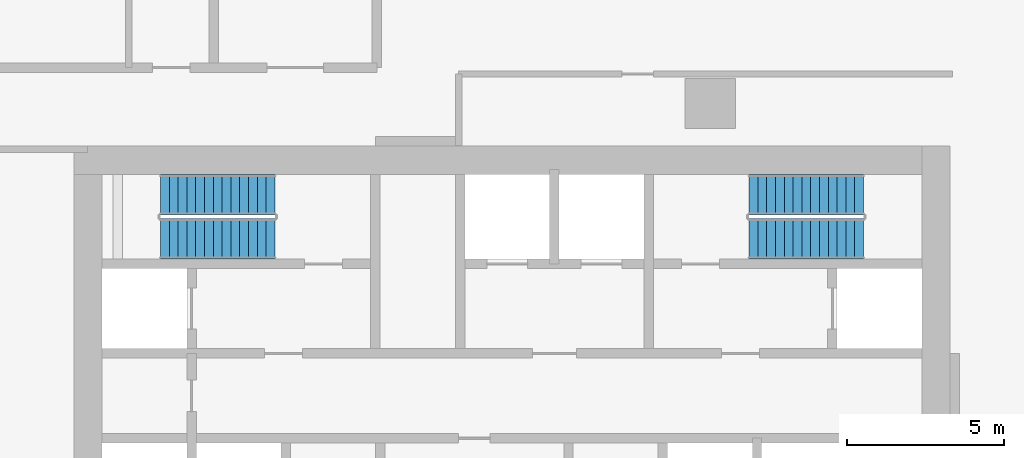
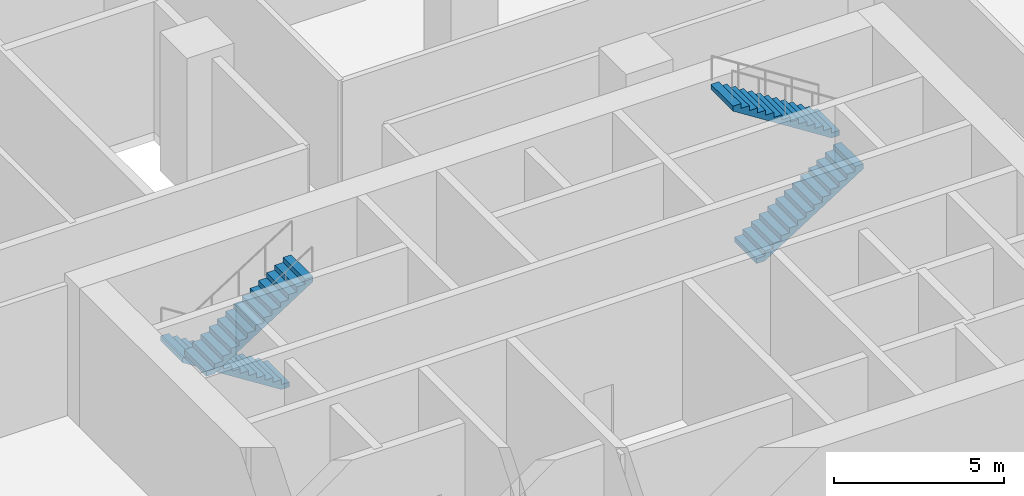
# One storey, part 17 of 33: 4 stair flights, 2 elements without a shape of their own.
"""IFC4 building model written with IfcOpenShell, lengths in metres."""

from ifc_helpers import new_model, si_unit, direction, frame, origin, place, context, subcontext, project, spatial, triangles, source, transform, mapped, material, type_object, element, aggregate, save


model = new_model("IFC4")

# Units and contexts
model_context = context("Model", 3, precision=1e-05, world=origin(), true_north=direction((0.0, 1.0)))
body_context = subcontext(model_context, "Body", "Model", "MODEL_VIEW")
ifc_project = project(units=[si_unit("LENGTHUNIT", "METRE"), si_unit("AREAUNIT", "SQUARE_METRE"), si_unit("VOLUMEUNIT", "CUBIC_METRE"), si_unit("PLANEANGLEUNIT", "RADIAN"), si_unit("MASSUNIT", "GRAM", prefix="KILO")], contexts=[model_context])

# Site, building, storey
site_placement = place(None, origin())
site = spatial("IfcSite", under=ifc_project, at=site_placement, CompositionType="ELEMENT")
building_placement = place(site_placement, origin())
building = spatial("IfcBuilding", under=site, at=building_placement, Name="Ogive Portal Towers", CompositionType="ELEMENT")
storey_placement = place(building_placement, frame((0.0, 0.0, 28.5)))
storey = spatial("IfcBuildingStorey", under=building, at=storey_placement, Name="L05", CompositionType="ELEMENT", Elevation=28.5)

# Stair, stair flights
ifc_material = material(Name="Concrete C40/50", Category="concrete")
stair_type = type_object("IfcStairType", Name="INT-STAIR", PredefinedType="HALF_TURN_STAIR", material=ifc_material)
stair_1_placement = place(storey_placement, origin())
stair_1 = element("IfcStair", 1, at=stair_1_placement, inside=storey, type_object=stair_type, Name="L05 Exit Stair ST-A1", PredefinedType="HALF_TURN_STAIR")
stair_flight_type = type_object("IfcStairFlightType", Name="INT-FLIGHT", PredefinedType="STRAIGHT", material=ifc_material)
shared_shape = source(origin(), body_context, "Body", "Tessellation", [
    triangles([(0.0, -0.650146484375, 0.0), (0.0, -0.376220703125, 0.0), (0.0, -0.192626953125, 0.0), (0.0, -0.081298828125, 0.0), (0.0, -0.024169921875, 0.0), (0.0, -0.003173828125, 0.0), (0.0, 0.0, 0.0), (0.0, 0.0029296875, 0.0), (0.0, 0.02392578125, 0.0), (0.0, 0.0810546875, 0.0), (0.0, 0.1923828125, 0.0), (0.0, 0.3759765625, 0.0), (0.0, 0.64990234375, 0.0), (0.0, -0.650146484375, 0.178466796875), (0.0, -0.376220703125, 0.178466796875), (0.0, -0.192626953125, 0.178466796875), (0.0, -0.081298828125, 0.178466796875), (0.0, -0.024169921875, 0.178466796875), (0.0, -0.003173828125, 0.178466796875), (0.0, 0.0, 0.178466796875), (0.0, 0.0029296875, 0.178466796875), (0.0, 0.02392578125, 0.178466796875), (0.0, 0.0810546875, 0.178466796875), (0.0, 0.1923828125, 0.178466796875), (0.0, 0.3759765625, 0.178466796875), (0.0, 0.64990234375, 0.178466796875), (0.280029296875, -0.650146484375, 0.178466796875), (0.280029296875, -0.376220703125, 0.178466796875), (0.280029296875, -0.192626953125, 0.178466796875), (0.280029296875, -0.081298828125, 0.178466796875), (0.280029296875, -0.024169921875, 0.178466796875), (0.280029296875, -0.003173828125, 0.178466796875), (0.280029296875, 0.0, 0.178466796875), (0.280029296875, 0.0029296875, 0.178466796875), (0.280029296875, 0.02392578125, 0.178466796875), (0.280029296875, 0.0810546875, 0.178466796875), (0.280029296875, 0.1923828125, 0.178466796875), (0.280029296875, 0.3759765625, 0.178466796875), (0.280029296875, 0.64990234375, 0.178466796875), (0.280029296875, -0.650146484375, 0.357177734375), (0.280029296875, -0.376220703125, 0.357177734375), (0.280029296875, -0.192626953125, 0.357177734375), (0.280029296875, -0.081298828125, 0.357177734375), (0.280029296875, -0.024169921875, 0.357177734375), (0.280029296875, -0.003173828125, 0.357177734375), (0.280029296875, 0.0, 0.357177734375), (0.280029296875, 0.0029296875, 0.357177734375), (0.280029296875, 0.02392578125, 0.357177734375), (0.280029296875, 0.0810546875, 0.357177734375), (0.280029296875, 0.1923828125, 0.357177734375), (0.280029296875, 0.3759765625, 0.357177734375), (0.280029296875, 0.64990234375, 0.357177734375), (0.56005859375, -0.650146484375, 0.357177734375), (0.56005859375, -0.376220703125, 0.357177734375), (0.56005859375, -0.192626953125, 0.357177734375), (0.56005859375, -0.081298828125, 0.357177734375), (0.56005859375, -0.024169921875, 0.357177734375), (0.56005859375, -0.003173828125, 0.357177734375), (0.56005859375, 0.0, 0.357177734375), (0.56005859375, 0.0029296875, 0.357177734375), (0.56005859375, 0.02392578125, 0.357177734375), (0.56005859375, 0.0810546875, 0.357177734375), (0.56005859375, 0.1923828125, 0.357177734375), (0.56005859375, 0.3759765625, 0.357177734375), (0.56005859375, 0.64990234375, 0.357177734375), (0.56005859375, -0.650146484375, 0.53564453125), (0.56005859375, -0.376220703125, 0.53564453125), (0.56005859375, -0.192626953125, 0.53564453125), (0.56005859375, -0.081298828125, 0.53564453125), (0.56005859375, -0.024169921875, 0.53564453125), (0.56005859375, -0.003173828125, 0.53564453125), (0.56005859375, 0.0, 0.53564453125), (0.56005859375, 0.0029296875, 0.53564453125), (0.56005859375, 0.02392578125, 0.53564453125), (0.56005859375, 0.0810546875, 0.53564453125), (0.56005859375, 0.1923828125, 0.53564453125), (0.56005859375, 0.3759765625, 0.53564453125), (0.56005859375, 0.64990234375, 0.53564453125), (0.840087890625, -0.650146484375, 0.53564453125), (0.840087890625, -0.376220703125, 0.53564453125), (0.840087890625, -0.192626953125, 0.53564453125), (0.840087890625, -0.081298828125, 0.53564453125), (0.840087890625, -0.024169921875, 0.53564453125), (0.840087890625, -0.003173828125, 0.53564453125), (0.840087890625, 0.0, 0.53564453125), (0.840087890625, 0.0029296875, 0.53564453125), (0.840087890625, 0.02392578125, 0.53564453125), (0.840087890625, 0.0810546875, 0.53564453125), (0.840087890625, 0.1923828125, 0.53564453125), (0.840087890625, 0.3759765625, 0.53564453125), (0.840087890625, 0.64990234375, 0.53564453125), (0.840087890625, -0.650146484375, 0.71435546875), (0.840087890625, -0.376220703125, 0.71435546875), (0.840087890625, -0.192626953125, 0.71435546875), (0.840087890625, -0.081298828125, 0.71435546875), (0.840087890625, -0.024169921875, 0.71435546875), (0.840087890625, -0.003173828125, 0.71435546875), (0.840087890625, 0.0, 0.71435546875), (0.840087890625, 0.0029296875, 0.71435546875), (0.840087890625, 0.02392578125, 0.71435546875), (0.840087890625, 0.0810546875, 0.71435546875), (0.840087890625, 0.1923828125, 0.71435546875), (0.840087890625, 0.3759765625, 0.71435546875), (0.840087890625, 0.64990234375, 0.71435546875), (1.1201171875, -0.650146484375, 0.71435546875), (1.1201171875, -0.376220703125, 0.71435546875), (1.1201171875, -0.192626953125, 0.71435546875), (1.1201171875, -0.081298828125, 0.71435546875), (1.1201171875, -0.024169921875, 0.71435546875), (1.1201171875, -0.003173828125, 0.71435546875), (1.1201171875, 0.0, 0.71435546875), (1.1201171875, 0.0029296875, 0.71435546875), (1.1201171875, 0.02392578125, 0.71435546875), (1.1201171875, 0.0810546875, 0.71435546875), (1.1201171875, 0.1923828125, 0.71435546875), (1.1201171875, 0.3759765625, 0.71435546875), (1.1201171875, 0.64990234375, 0.71435546875), (1.1201171875, -0.650146484375, 0.892822265625), (1.1201171875, -0.376220703125, 0.892822265625), (1.1201171875, -0.192626953125, 0.892822265625), (1.1201171875, -0.081298828125, 0.892822265625), (1.1201171875, -0.024169921875, 0.892822265625), (1.1201171875, -0.003173828125, 0.892822265625), (1.1201171875, 0.0, 0.892822265625), (1.1201171875, 0.0029296875, 0.892822265625), (1.1201171875, 0.02392578125, 0.892822265625), (1.1201171875, 0.0810546875, 0.892822265625), (1.1201171875, 0.1923828125, 0.892822265625), (1.1201171875, 0.3759765625, 0.892822265625), (1.1201171875, 0.64990234375, 0.892822265625), (1.39990234375, -0.650146484375, 0.892822265625), (1.39990234375, -0.376220703125, 0.892822265625), (1.39990234375, -0.192626953125, 0.892822265625), (1.39990234375, -0.081298828125, 0.892822265625), (1.39990234375, -0.024169921875, 0.892822265625), (1.39990234375, -0.003173828125, 0.892822265625), (1.39990234375, 0.0, 0.892822265625), (1.39990234375, 0.0029296875, 0.892822265625), (1.39990234375, 0.02392578125, 0.892822265625), (1.39990234375, 0.0810546875, 0.892822265625), (1.39990234375, 0.1923828125, 0.892822265625), (1.39990234375, 0.3759765625, 0.892822265625), (1.39990234375, 0.64990234375, 0.892822265625), (1.39990234375, -0.650146484375, 1.071533203125), (1.39990234375, -0.376220703125, 1.071533203125), (1.39990234375, -0.192626953125, 1.071533203125), (1.39990234375, -0.081298828125, 1.071533203125), (1.39990234375, -0.024169921875, 1.071533203125), (1.39990234375, -0.003173828125, 1.071533203125), (1.39990234375, 0.0, 1.071533203125), (1.39990234375, 0.0029296875, 1.071533203125), (1.39990234375, 0.02392578125, 1.071533203125), (1.39990234375, 0.0810546875, 1.071533203125), (1.39990234375, 0.1923828125, 1.071533203125), (1.39990234375, 0.3759765625, 1.071533203125), (1.39990234375, 0.64990234375, 1.071533203125), (1.679931640625, -0.650146484375, 1.071533203125), (1.679931640625, -0.376220703125, 1.071533203125), (1.679931640625, -0.192626953125, 1.071533203125), (1.679931640625, -0.081298828125, 1.071533203125), (1.679931640625, -0.024169921875, 1.071533203125), (1.679931640625, -0.003173828125, 1.071533203125), (1.679931640625, 0.0, 1.071533203125), (1.679931640625, 0.0029296875, 1.071533203125), (1.679931640625, 0.02392578125, 1.071533203125), (1.679931640625, 0.0810546875, 1.071533203125), (1.679931640625, 0.1923828125, 1.071533203125), (1.679931640625, 0.3759765625, 1.071533203125), (1.679931640625, 0.64990234375, 1.071533203125), (1.679931640625, -0.650146484375, 1.25), (1.679931640625, -0.376220703125, 1.25), (1.679931640625, -0.192626953125, 1.25), (1.679931640625, -0.081298828125, 1.25), (1.679931640625, -0.024169921875, 1.25), (1.679931640625, -0.003173828125, 1.25), (1.679931640625, 0.0, 1.25), (1.679931640625, 0.0029296875, 1.25), (1.679931640625, 0.02392578125, 1.25), (1.679931640625, 0.0810546875, 1.25), (1.679931640625, 0.1923828125, 1.25), (1.679931640625, 0.3759765625, 1.25), (1.679931640625, 0.64990234375, 1.25), (1.9599609375, -0.650146484375, 1.25), (1.9599609375, -0.376220703125, 1.25), (1.9599609375, -0.192626953125, 1.25), (1.9599609375, -0.081298828125, 1.25), (1.9599609375, -0.024169921875, 1.25), (1.9599609375, -0.003173828125, 1.25), (1.9599609375, 0.0, 1.25), (1.9599609375, 0.0029296875, 1.25), (1.9599609375, 0.02392578125, 1.25), (1.9599609375, 0.0810546875, 1.25), (1.9599609375, 0.1923828125, 1.25), (1.9599609375, 0.3759765625, 1.25), (1.9599609375, 0.64990234375, 1.25), (1.9599609375, -0.650146484375, 1.428466796875), (1.9599609375, -0.376220703125, 1.428466796875), (1.9599609375, -0.192626953125, 1.428466796875), (1.9599609375, -0.081298828125, 1.428466796875), (1.9599609375, -0.024169921875, 1.428466796875), (1.9599609375, -0.003173828125, 1.428466796875), (1.9599609375, 0.0, 1.428466796875), (1.9599609375, 0.0029296875, 1.428466796875), (1.9599609375, 0.02392578125, 1.428466796875), (1.9599609375, 0.0810546875, 1.428466796875), (1.9599609375, 0.1923828125, 1.428466796875), (1.9599609375, 0.3759765625, 1.428466796875), (1.9599609375, 0.64990234375, 1.428466796875), (2.239990234375, -0.650146484375, 1.428466796875), (2.239990234375, -0.376220703125, 1.428466796875), (2.239990234375, -0.192626953125, 1.428466796875), (2.239990234375, -0.081298828125, 1.428466796875), (2.239990234375, -0.024169921875, 1.428466796875), (2.239990234375, -0.003173828125, 1.428466796875), (2.239990234375, 0.0, 1.428466796875), (2.239990234375, 0.0029296875, 1.428466796875), (2.239990234375, 0.02392578125, 1.428466796875), (2.239990234375, 0.0810546875, 1.428466796875), (2.239990234375, 0.1923828125, 1.428466796875), (2.239990234375, 0.3759765625, 1.428466796875), (2.239990234375, 0.64990234375, 1.428466796875), (2.239990234375, -0.650146484375, 1.607177734375), (2.239990234375, -0.376220703125, 1.607177734375), (2.239990234375, -0.192626953125, 1.607177734375), (2.239990234375, -0.081298828125, 1.607177734375), (2.239990234375, -0.024169921875, 1.607177734375), (2.239990234375, -0.003173828125, 1.607177734375), (2.239990234375, 0.0, 1.607177734375), (2.239990234375, 0.0029296875, 1.607177734375), (2.239990234375, 0.02392578125, 1.607177734375), (2.239990234375, 0.0810546875, 1.607177734375), (2.239990234375, 0.1923828125, 1.607177734375), (2.239990234375, 0.3759765625, 1.607177734375), (2.239990234375, 0.64990234375, 1.607177734375), (2.52001953125, -0.650146484375, 1.607177734375), (2.52001953125, -0.376220703125, 1.607177734375), (2.52001953125, -0.192626953125, 1.607177734375), (2.52001953125, -0.081298828125, 1.607177734375), (2.52001953125, -0.024169921875, 1.607177734375), (2.52001953125, -0.003173828125, 1.607177734375), (2.52001953125, 0.0, 1.607177734375), (2.52001953125, 0.0029296875, 1.607177734375), (2.52001953125, 0.02392578125, 1.607177734375), (2.52001953125, 0.0810546875, 1.607177734375), (2.52001953125, 0.1923828125, 1.607177734375), (2.52001953125, 0.3759765625, 1.607177734375), (2.52001953125, 0.64990234375, 1.607177734375), (2.52001953125, -0.650146484375, 1.78564453125), (2.52001953125, -0.376220703125, 1.78564453125), (2.52001953125, -0.192626953125, 1.78564453125), (2.52001953125, -0.081298828125, 1.78564453125), (2.52001953125, -0.024169921875, 1.78564453125), (2.52001953125, -0.003173828125, 1.78564453125), (2.52001953125, 0.0, 1.78564453125), (2.52001953125, 0.0029296875, 1.78564453125), (2.52001953125, 0.02392578125, 1.78564453125), (2.52001953125, 0.0810546875, 1.78564453125), (2.52001953125, 0.1923828125, 1.78564453125), (2.52001953125, 0.3759765625, 1.78564453125), (2.52001953125, 0.64990234375, 1.78564453125), (2.800048828125, -0.650146484375, 1.78564453125), (2.800048828125, -0.376220703125, 1.78564453125), (2.800048828125, -0.192626953125, 1.78564453125), (2.800048828125, -0.081298828125, 1.78564453125), (2.800048828125, -0.024169921875, 1.78564453125), (2.800048828125, -0.003173828125, 1.78564453125), (2.800048828125, 0.0, 1.78564453125), (2.800048828125, 0.0029296875, 1.78564453125), (2.800048828125, 0.02392578125, 1.78564453125), (2.800048828125, 0.0810546875, 1.78564453125), (2.800048828125, 0.1923828125, 1.78564453125), (2.800048828125, 0.3759765625, 1.78564453125), (2.800048828125, 0.64990234375, 1.78564453125), (2.800048828125, -0.650146484375, 1.96435546875), (2.800048828125, -0.376220703125, 1.96435546875), (2.800048828125, -0.192626953125, 1.96435546875), (2.800048828125, -0.081298828125, 1.96435546875), (2.800048828125, -0.024169921875, 1.96435546875), (2.800048828125, -0.003173828125, 1.96435546875), (2.800048828125, 0.0, 1.96435546875), (2.800048828125, 0.0029296875, 1.96435546875), (2.800048828125, 0.02392578125, 1.96435546875), (2.800048828125, 0.0810546875, 1.96435546875), (2.800048828125, 0.1923828125, 1.96435546875), (2.800048828125, 0.3759765625, 1.96435546875), (2.800048828125, 0.64990234375, 1.96435546875), (3.080078125, -0.650146484375, 1.96435546875), (3.080078125, -0.376220703125, 1.96435546875), (3.080078125, -0.192626953125, 1.96435546875), (3.080078125, -0.081298828125, 1.96435546875), (3.080078125, -0.024169921875, 1.96435546875), (3.080078125, -0.003173828125, 1.96435546875), (3.080078125, 0.0, 1.96435546875), (3.080078125, 0.0029296875, 1.96435546875), (3.080078125, 0.02392578125, 1.96435546875), (3.080078125, 0.0810546875, 1.96435546875), (3.080078125, 0.1923828125, 1.96435546875), (3.080078125, 0.3759765625, 1.96435546875), (3.080078125, 0.64990234375, 1.96435546875), (3.080078125, -0.650146484375, 2.142822265625), (3.080078125, -0.376220703125, 2.142822265625), (3.080078125, -0.192626953125, 2.142822265625), (3.080078125, -0.081298828125, 2.142822265625), (3.080078125, -0.024169921875, 2.142822265625), (3.080078125, -0.003173828125, 2.142822265625), (3.080078125, 0.0, 2.142822265625), (3.080078125, 0.0029296875, 2.142822265625), (3.080078125, 0.02392578125, 2.142822265625), (3.080078125, 0.0810546875, 2.142822265625), (3.080078125, 0.1923828125, 2.142822265625), (3.080078125, 0.3759765625, 2.142822265625), (3.080078125, 0.64990234375, 2.142822265625), (3.360107421875, -0.650146484375, 2.142822265625), (3.360107421875, -0.376220703125, 2.142822265625), (3.360107421875, -0.192626953125, 2.142822265625), (3.360107421875, -0.081298828125, 2.142822265625), (3.360107421875, -0.024169921875, 2.142822265625), (3.360107421875, -0.003173828125, 2.142822265625), (3.360107421875, 0.0, 2.142822265625), (3.360107421875, 0.0029296875, 2.142822265625), (3.360107421875, 0.02392578125, 2.142822265625), (3.360107421875, 0.0810546875, 2.142822265625), (3.360107421875, 0.1923828125, 2.142822265625), (3.360107421875, 0.3759765625, 2.142822265625), (3.360107421875, 0.64990234375, 2.142822265625), (3.360107421875, -0.650146484375, 2.321533203125), (3.360107421875, -0.376220703125, 2.321533203125), (3.360107421875, -0.192626953125, 2.321533203125), (3.360107421875, -0.081298828125, 2.321533203125), (3.360107421875, -0.024169921875, 2.321533203125), (3.360107421875, -0.003173828125, 2.321533203125), (3.360107421875, 0.0, 2.321533203125), (3.360107421875, 0.0029296875, 2.321533203125), (3.360107421875, 0.02392578125, 2.321533203125), (3.360107421875, 0.0810546875, 2.321533203125), (3.360107421875, 0.1923828125, 2.321533203125), (3.360107421875, 0.3759765625, 2.321533203125), (3.360107421875, 0.64990234375, 2.321533203125), (3.639892578125, -0.650146484375, 2.321533203125), (3.639892578125, -0.376220703125, 2.321533203125), (3.639892578125, -0.192626953125, 2.321533203125), (3.639892578125, -0.081298828125, 2.321533203125), (3.639892578125, -0.024169921875, 2.321533203125), (3.639892578125, -0.003173828125, 2.321533203125), (3.639892578125, 0.0, 2.321533203125), (3.639892578125, 0.0029296875, 2.321533203125), (3.639892578125, 0.02392578125, 2.321533203125), (3.639892578125, 0.0810546875, 2.321533203125), (3.639892578125, 0.1923828125, 2.321533203125), (3.639892578125, 0.3759765625, 2.321533203125), (3.639892578125, 0.64990234375, 2.321533203125), (3.639892578125, -0.650146484375, 2.1435546875), (3.639892578125, -0.376220703125, 2.1435546875), (3.639892578125, -0.192626953125, 2.1435546875), (3.639892578125, -0.081298828125, 2.1435546875), (3.639892578125, -0.024169921875, 2.1435546875), (3.639892578125, -0.003173828125, 2.1435546875), (3.639892578125, 0.0, 2.1435546875), (3.639892578125, 0.0029296875, 2.1435546875), (3.639892578125, 0.02392578125, 2.1435546875), (3.639892578125, 0.0810546875, 2.1435546875), (3.639892578125, 0.1923828125, 2.1435546875), (3.639892578125, 0.3759765625, 2.1435546875), (3.639892578125, 0.64990234375, 2.1435546875), (0.27880859375, -0.650146484375, 0.0), (0.27880859375, -0.376220703125, 0.0), (0.27880859375, -0.192626953125, 0.0), (0.27880859375, -0.081298828125, 0.0), (0.27880859375, -0.024169921875, 0.0), (0.27880859375, -0.003173828125, 0.0), (0.27880859375, 0.0, 0.0), (0.27880859375, 0.0029296875, 0.0), (0.27880859375, 0.02392578125, 0.0), (0.27880859375, 0.0810546875, 0.0), (0.27880859375, 0.1923828125, 0.0), (0.27880859375, 0.3759765625, 0.0), (0.27880859375, 0.64990234375, 0.0)], [[1, 14, 15], [1, 15, 2], [2, 15, 16], [2, 16, 3], [3, 16, 17], [3, 17, 4], [4, 17, 18], [4, 18, 5], [5, 18, 19], [5, 19, 6], [6, 19, 20], [6, 20, 7], [7, 20, 21], [7, 21, 8], [8, 21, 22], [8, 22, 9], [9, 22, 23], [9, 23, 10], [10, 23, 24], [10, 24, 11], [11, 24, 25], [11, 25, 12], [12, 25, 26], [12, 26, 13], [14, 27, 28], [14, 28, 15], [15, 28, 29], [15, 29, 16], [16, 29, 30], [16, 30, 17], [17, 30, 31], [17, 31, 18], [18, 31, 32], [18, 32, 19], [19, 32, 33], [19, 33, 20], [20, 33, 34], [20, 34, 21], [21, 34, 35], [21, 35, 22], [22, 35, 36], [22, 36, 23], [23, 36, 37], [23, 37, 24], [24, 37, 38], [24, 38, 25], [25, 38, 39], [25, 39, 26], [27, 40, 41], [27, 41, 28], [28, 41, 42], [28, 42, 29], [29, 42, 43], [29, 43, 30], [30, 43, 44], [30, 44, 31], [31, 44, 45], [31, 45, 32], [32, 45, 46], [32, 46, 33], [33, 46, 47], [33, 47, 34], [34, 47, 48], [34, 48, 35], [35, 48, 49], [35, 49, 36], [36, 49, 50], [36, 50, 37], [37, 50, 51], [37, 51, 38], [38, 51, 52], [38, 52, 39], [40, 53, 54], [40, 54, 41], [41, 54, 55], [41, 55, 42], [42, 55, 56], [42, 56, 43], [43, 56, 57], [43, 57, 44], [44, 57, 58], [44, 58, 45], [45, 58, 59], [45, 59, 46], [46, 59, 60], [46, 60, 47], [47, 60, 61], [47, 61, 48], [48, 61, 62], [48, 62, 49], [49, 62, 63], [49, 63, 50], [50, 63, 64], [50, 64, 51], [51, 64, 65], [51, 65, 52], [53, 66, 67], [53, 67, 54], [54, 67, 68], [54, 68, 55], [55, 68, 69], [55, 69, 56], [56, 69, 70], [56, 70, 57], [57, 70, 71], [57, 71, 58], [58, 71, 72], [58, 72, 59], [59, 72, 73], [59, 73, 60], [60, 73, 74], [60, 74, 61], [61, 74, 75], [61, 75, 62], [62, 75, 76], [62, 76, 63], [63, 76, 77], [63, 77, 64], [64, 77, 78], [64, 78, 65], [66, 79, 80], [66, 80, 67], [67, 80, 81], [67, 81, 68], [68, 81, 82], [68, 82, 69], [69, 82, 83], [69, 83, 70], [70, 83, 84], [70, 84, 71], [71, 84, 85], [71, 85, 72], [72, 85, 86], [72, 86, 73], [73, 86, 87], [73, 87, 74], [74, 87, 88], [74, 88, 75], [75, 88, 89], [75, 89, 76], [76, 89, 90], [76, 90, 77], [77, 90, 91], [77, 91, 78], [79, 92, 93], [79, 93, 80], [80, 93, 94], [80, 94, 81], [81, 94, 95], [81, 95, 82], [82, 95, 96], [82, 96, 83], [83, 96, 97], [83, 97, 84], [84, 97, 98], [84, 98, 85], [85, 98, 99], [85, 99, 86], [86, 99, 100], [86, 100, 87], [87, 100, 101], [87, 101, 88], [88, 101, 102], [88, 102, 89], [89, 102, 103], [89, 103, 90], [90, 103, 104], [90, 104, 91], [92, 105, 106], [92, 106, 93], [93, 106, 107], [93, 107, 94], [94, 107, 108], [94, 108, 95], [95, 108, 109], [95, 109, 96], [96, 109, 110], [96, 110, 97], [97, 110, 111], [97, 111, 98], [98, 111, 112], [98, 112, 99], [99, 112, 113], [99, 113, 100], [100, 113, 114], [100, 114, 101], [101, 114, 115], [101, 115, 102], [102, 115, 116], [102, 116, 103], [103, 116, 117], [103, 117, 104], [105, 118, 119], [105, 119, 106], [106, 119, 120], [106, 120, 107], [107, 120, 121], [107, 121, 108], [108, 121, 122], [108, 122, 109], [109, 122, 123], [109, 123, 110], [110, 123, 124], [110, 124, 111], [111, 124, 125], [111, 125, 112], [112, 125, 126], [112, 126, 113], [113, 126, 127], [113, 127, 114], [114, 127, 128], [114, 128, 115], [115, 128, 129], [115, 129, 116], [116, 129, 130], [116, 130, 117], [118, 131, 132], [118, 132, 119], [119, 132, 133], [119, 133, 120], [120, 133, 134], [120, 134, 121], [121, 134, 135], [121, 135, 122], [122, 135, 136], [122, 136, 123], [123, 136, 137], [123, 137, 124], [124, 137, 138], [124, 138, 125], [125, 138, 139], [125, 139, 126], [126, 139, 140], [126, 140, 127], [127, 140, 141], [127, 141, 128], [128, 141, 142], [128, 142, 129], [129, 142, 143], [129, 143, 130], [131, 144, 145], [131, 145, 132], [132, 145, 146], [132, 146, 133], [133, 146, 147], [133, 147, 134], [134, 147, 148], [134, 148, 135], [135, 148, 149], [135, 149, 136], [136, 149, 150], [136, 150, 137], [137, 150, 151], [137, 151, 138], [138, 151, 152], [138, 152, 139], [139, 152, 153], [139, 153, 140], [140, 153, 154], [140, 154, 141], [141, 154, 155], [141, 155, 142], [142, 155, 156], [142, 156, 143], [144, 157, 158], [144, 158, 145], [145, 158, 159], [145, 159, 146], [146, 159, 160], [146, 160, 147], [147, 160, 161], [147, 161, 148], [148, 161, 162], [148, 162, 149], [149, 162, 163], [149, 163, 150], [150, 163, 164], [150, 164, 151], [151, 164, 165], [151, 165, 152], [152, 165, 166], [152, 166, 153], [153, 166, 167], [153, 167, 154], [154, 167, 168], [154, 168, 155], [155, 168, 169], [155, 169, 156], [157, 170, 171], [157, 171, 158], [158, 171, 172], [158, 172, 159], [159, 172, 173], [159, 173, 160], [160, 173, 174], [160, 174, 161], [161, 174, 175], [161, 175, 162], [162, 175, 176], [162, 176, 163], [163, 176, 177], [163, 177, 164], [164, 177, 178], [164, 178, 165], [165, 178, 179], [165, 179, 166], [166, 179, 180], [166, 180, 167], [167, 180, 181], [167, 181, 168], [168, 181, 182], [168, 182, 169], [170, 183, 184], [170, 184, 171], [171, 184, 185], [171, 185, 172], [172, 185, 186], [172, 186, 173], [173, 186, 187], [173, 187, 174], [174, 187, 188], [174, 188, 175], [175, 188, 189], [175, 189, 176], [176, 189, 190], [176, 190, 177], [177, 190, 191], [177, 191, 178], [178, 191, 192], [178, 192, 179], [179, 192, 193], [179, 193, 180], [180, 193, 194], [180, 194, 181], [181, 194, 195], [181, 195, 182], [183, 196, 197], [183, 197, 184], [184, 197, 198], [184, 198, 185], [185, 198, 199], [185, 199, 186], [186, 199, 200], [186, 200, 187], [187, 200, 201], [187, 201, 188], [188, 201, 202], [188, 202, 189], [189, 202, 203], [189, 203, 190], [190, 203, 204], [190, 204, 191], [191, 204, 205], [191, 205, 192], [192, 205, 206], [192, 206, 193], [193, 206, 207], [193, 207, 194], [194, 207, 208], [194, 208, 195], [196, 209, 210], [196, 210, 197], [197, 210, 211], [197, 211, 198], [198, 211, 212], [198, 212, 199], [199, 212, 213], [199, 213, 200], [200, 213, 214], [200, 214, 201], [201, 214, 215], [201, 215, 202], [202, 215, 216], [202, 216, 203], [203, 216, 217], [203, 217, 204], [204, 217, 218], [204, 218, 205], [205, 218, 219], [205, 219, 206], [206, 219, 220], [206, 220, 207], [207, 220, 221], [207, 221, 208], [209, 222, 223], [209, 223, 210], [210, 223, 224], [210, 224, 211], [211, 224, 225], [211, 225, 212], [212, 225, 226], [212, 226, 213], [213, 226, 227], [213, 227, 214], [214, 227, 228], [214, 228, 215], [215, 228, 229], [215, 229, 216], [216, 229, 230], [216, 230, 217], [217, 230, 231], [217, 231, 218], [218, 231, 232], [218, 232, 219], [219, 232, 233], [219, 233, 220], [220, 233, 234], [220, 234, 221], [222, 235, 236], [222, 236, 223], [223, 236, 237], [223, 237, 224], [224, 237, 238], [224, 238, 225], [225, 238, 239], [225, 239, 226], [226, 239, 240], [226, 240, 227], [227, 240, 241], [227, 241, 228], [228, 241, 242], [228, 242, 229], [229, 242, 243], [229, 243, 230], [230, 243, 244], [230, 244, 231], [231, 244, 245], [231, 245, 232], [232, 245, 246], [232, 246, 233], [233, 246, 247], [233, 247, 234], [235, 248, 249], [235, 249, 236], [236, 249, 250], [236, 250, 237], [237, 250, 251], [237, 251, 238], [238, 251, 252], [238, 252, 239], [239, 252, 253], [239, 253, 240], [240, 253, 254], [240, 254, 241], [241, 254, 255], [241, 255, 242], [242, 255, 256], [242, 256, 243], [243, 256, 257], [243, 257, 244], [244, 257, 258], [244, 258, 245], [245, 258, 259], [245, 259, 246], [246, 259, 260], [246, 260, 247], [248, 261, 262], [248, 262, 249], [249, 262, 263], [249, 263, 250], [250, 263, 264], [250, 264, 251], [251, 264, 265], [251, 265, 252], [252, 265, 266], [252, 266, 253], [253, 266, 267], [253, 267, 254], [254, 267, 268], [254, 268, 255], [255, 268, 269], [255, 269, 256], [256, 269, 270], [256, 270, 257], [257, 270, 271], [257, 271, 258], [258, 271, 272], [258, 272, 259], [259, 272, 273], [259, 273, 260], [261, 274, 275], [261, 275, 262], [262, 275, 276], [262, 276, 263], [263, 276, 277], [263, 277, 264], [264, 277, 278], [264, 278, 265], [265, 278, 279], [265, 279, 266], [266, 279, 280], [266, 280, 267], [267, 280, 281], [267, 281, 268], [268, 281, 282], [268, 282, 269], [269, 282, 283], [269, 283, 270], [270, 283, 284], [270, 284, 271], [271, 284, 285], [271, 285, 272], [272, 285, 286], [272, 286, 273], [274, 287, 288], [274, 288, 275], [275, 288, 289], [275, 289, 276], [276, 289, 290], [276, 290, 277], [277, 290, 291], [277, 291, 278], [278, 291, 292], [278, 292, 279], [279, 292, 293], [279, 293, 280], [280, 293, 294], [280, 294, 281], [281, 294, 295], [281, 295, 282], [282, 295, 296], [282, 296, 283], [283, 296, 297], [283, 297, 284], [284, 297, 298], [284, 298, 285], [285, 298, 299], [285, 299, 286], [287, 300, 301], [287, 301, 288], [288, 301, 302], [288, 302, 289], [289, 302, 303], [289, 303, 290], [290, 303, 304], [290, 304, 291], [291, 304, 305], [291, 305, 292], [292, 305, 306], [292, 306, 293], [293, 306, 307], [293, 307, 294], [294, 307, 308], [294, 308, 295], [295, 308, 309], [295, 309, 296], [296, 309, 310], [296, 310, 297], [297, 310, 311], [297, 311, 298], [298, 311, 312], [298, 312, 299], [300, 313, 314], [300, 314, 301], [301, 314, 315], [301, 315, 302], [302, 315, 316], [302, 316, 303], [303, 316, 317], [303, 317, 304], [304, 317, 318], [304, 318, 305], [305, 318, 319], [305, 319, 306], [306, 319, 320], [306, 320, 307], [307, 320, 321], [307, 321, 308], [308, 321, 322], [308, 322, 309], [309, 322, 323], [309, 323, 310], [310, 323, 324], [310, 324, 311], [311, 324, 325], [311, 325, 312], [313, 326, 327], [313, 327, 314], [314, 327, 328], [314, 328, 315], [315, 328, 329], [315, 329, 316], [316, 329, 330], [316, 330, 317], [317, 330, 331], [317, 331, 318], [318, 331, 332], [318, 332, 319], [319, 332, 333], [319, 333, 320], [320, 333, 334], [320, 334, 321], [321, 334, 335], [321, 335, 322], [322, 335, 336], [322, 336, 323], [323, 336, 337], [323, 337, 324], [324, 337, 338], [324, 338, 325], [326, 339, 340], [326, 340, 327], [327, 340, 341], [327, 341, 328], [328, 341, 342], [328, 342, 329], [329, 342, 343], [329, 343, 330], [330, 343, 344], [330, 344, 331], [331, 344, 345], [331, 345, 332], [332, 345, 346], [332, 346, 333], [333, 346, 347], [333, 347, 334], [334, 347, 348], [334, 348, 335], [335, 348, 349], [335, 349, 336], [336, 349, 350], [336, 350, 337], [337, 350, 351], [337, 351, 338], [339, 352, 353], [339, 353, 340], [340, 353, 354], [340, 354, 341], [341, 354, 355], [341, 355, 342], [342, 355, 356], [342, 356, 343], [343, 356, 357], [343, 357, 344], [344, 357, 358], [344, 358, 345], [345, 358, 359], [345, 359, 346], [346, 359, 360], [346, 360, 347], [347, 360, 361], [347, 361, 348], [348, 361, 362], [348, 362, 349], [349, 362, 363], [349, 363, 350], [350, 363, 364], [350, 364, 351], [352, 365, 366], [352, 366, 353], [353, 366, 367], [353, 367, 354], [354, 367, 368], [354, 368, 355], [355, 368, 369], [355, 369, 356], [356, 369, 370], [356, 370, 357], [357, 370, 371], [357, 371, 358], [358, 371, 372], [358, 372, 359], [359, 372, 373], [359, 373, 360], [360, 373, 374], [360, 374, 361], [361, 374, 375], [361, 375, 362], [362, 375, 376], [362, 376, 363], [363, 376, 377], [363, 377, 364], [365, 1, 2], [365, 2, 366], [366, 2, 3], [366, 3, 367], [367, 3, 4], [367, 4, 368], [368, 4, 5], [368, 5, 369], [369, 5, 6], [369, 6, 370], [370, 6, 7], [370, 7, 371], [371, 7, 8], [371, 8, 372], [372, 8, 9], [372, 9, 373], [373, 9, 10], [373, 10, 374], [374, 10, 11], [374, 11, 375], [375, 11, 12], [375, 12, 376], [376, 12, 13], [376, 13, 377], [1, 365, 352], [13, 364, 377], [352, 339, 326], [364, 338, 351], [352, 326, 313], [364, 325, 338], [313, 300, 287], [325, 299, 312], [352, 313, 287], [364, 299, 325], [287, 274, 261], [299, 273, 286], [352, 287, 261], [364, 273, 299], [261, 248, 235], [273, 247, 260], [352, 261, 235], [364, 247, 273], [235, 222, 209], [247, 221, 234], [352, 235, 209], [364, 221, 247], [209, 196, 183], [221, 195, 208], [352, 209, 183], [364, 195, 221], [183, 170, 157], [195, 169, 182], [352, 183, 157], [364, 169, 195], [157, 144, 131], [169, 143, 156], [352, 157, 131], [364, 143, 169], [131, 118, 105], [143, 117, 130], [352, 131, 105], [364, 117, 143], [105, 92, 79], [117, 91, 104], [352, 105, 79], [364, 91, 117], [79, 66, 53], [91, 65, 78], [352, 79, 53], [364, 65, 91], [53, 40, 27], [65, 39, 52], [352, 53, 27], [364, 39, 65], [1, 352, 27], [13, 39, 364], [27, 14, 1], [39, 13, 26]], closed=True),
])
stair_flight_1_placement = place(storey_placement, frame((37.449951171875, 38.39990234375, 0.0), z_axis=(0.0, 0.0, 1.0), x_axis=(-1.0, 0.0, 0.0)))
stair_flight_1 = element("IfcStairFlight", 2, at=stair_flight_1_placement, type_object=stair_flight_type, Name="ST-A1 flight 1", NumberOfRisers=14, NumberOfTreads=13, PredefinedType="STRAIGHT", RiserHeight=0.178571429, TreadLength=0.28, context=body_context, shape_type="MappedRepresentation", body=[
    mapped(shared_shape, transform((0.0, 0.0, 0.0), scale=1.0)),
])
stair_flight_2_placement = place(storey_placement, frame((33.81005859375, 37.0, 2.5), z_axis=(0.0, 0.0, 1.0), x_axis=(1.0, 0.0, 0.0)))
stair_flight_2 = element("IfcStairFlight", 3, at=stair_flight_2_placement, type_object=stair_flight_type, Name="ST-A1 flight 2", NumberOfRisers=14, NumberOfTreads=13, PredefinedType="STRAIGHT", RiserHeight=0.178571429, TreadLength=0.28, context=body_context, shape_type="MappedRepresentation", body=[
    mapped(shared_shape, transform((0.0, 0.0, 0.0), scale=1.0)),
])
aggregate(stair_1, [stair_flight_1, stair_flight_2])

stair_2_placement = place(storey_placement, origin())
stair_2 = element("IfcStair", 4, at=stair_2_placement, inside=storey, type_object=stair_type, Name="L05 Exit Stair ST-A2", PredefinedType="HALF_TURN_STAIR")
stair_flight_3_placement = place(storey_placement, frame((52.550048828125, 37.0, 0.0), z_axis=(0.0, 0.0, 1.0), x_axis=(1.0, 0.0, 0.0)))
stair_flight_3 = element("IfcStairFlight", 5, at=stair_flight_3_placement, type_object=stair_flight_type, Name="ST-A2 flight 1", NumberOfRisers=14, NumberOfTreads=13, PredefinedType="STRAIGHT", RiserHeight=0.178571429, TreadLength=0.28, context=body_context, shape_type="MappedRepresentation", body=[
    mapped(shared_shape, transform((0.0, 0.0, 0.0), scale=1.0)),
])
stair_flight_4_placement = place(storey_placement, frame((56.18994140625, 38.39990234375, 2.5), z_axis=(0.0, 0.0, 1.0), x_axis=(-1.0, 0.0, 0.0)))
stair_flight_4 = element("IfcStairFlight", 6, at=stair_flight_4_placement, type_object=stair_flight_type, Name="ST-A2 flight 2", NumberOfRisers=14, NumberOfTreads=13, PredefinedType="STRAIGHT", RiserHeight=0.178571429, TreadLength=0.28, context=body_context, shape_type="MappedRepresentation", body=[
    mapped(shared_shape, transform((0.0, 0.0, 0.0), scale=1.0)),
])
aggregate(stair_2, [stair_flight_3, stair_flight_4])

save(model, "model.ifc")
